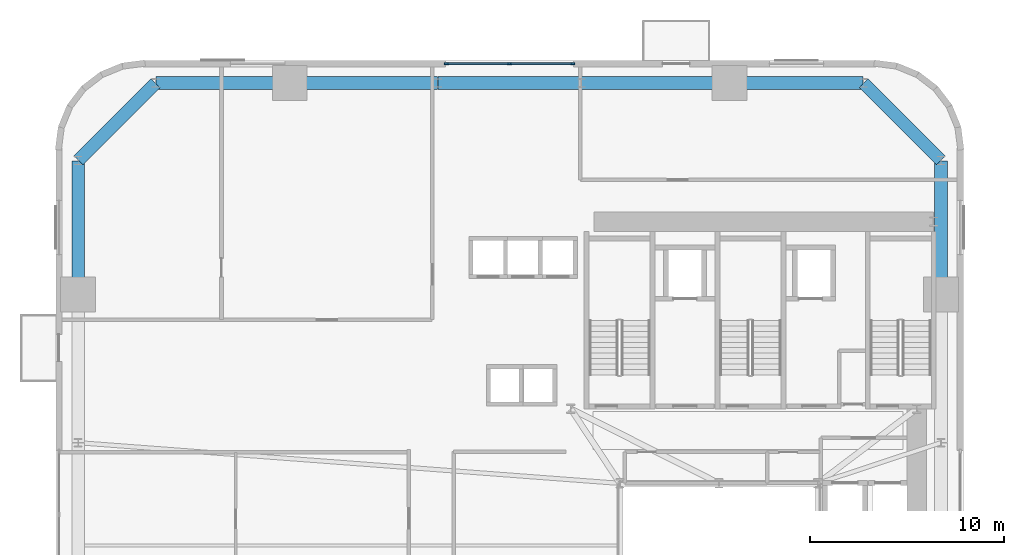
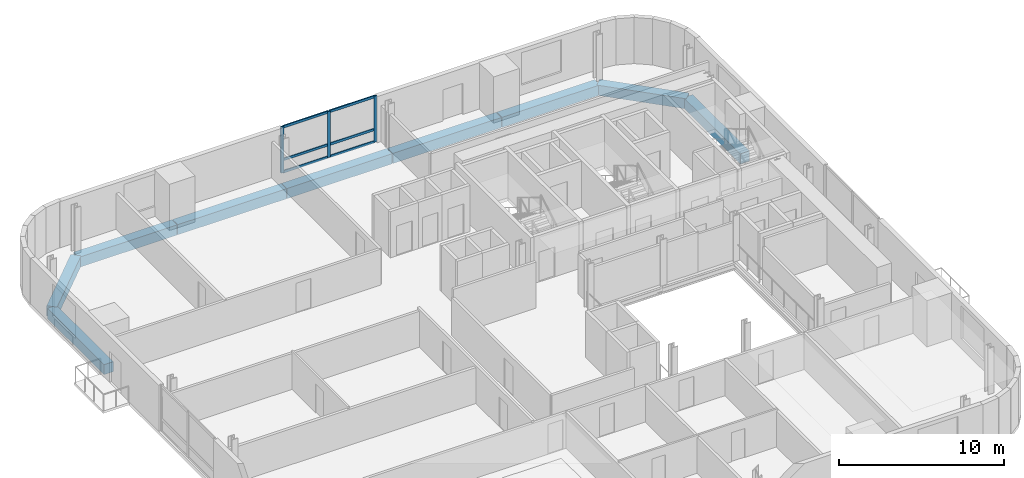
# One storey, part 4 of 13: 9 beams, 9 members, 1 element without a shape of its own.
"""IFC4 building model written with IfcOpenShell, lengths in metres."""

from ifc_helpers import new_model, si_unit, direction, frame, origin, origin_2d, place, context, subcontext, project, spatial, rectangle, extrude, source, transform, mapped, material, material_profile, profile_set, type_object, element, aggregate, save


model = new_model("IFC4")

# Units and contexts
model_context = context("Model", 3, precision=1e-05, world=origin(), true_north=direction((0.0, 1.0)))
body_context = subcontext(model_context, "Body", "Model", "MODEL_VIEW")
ifc_project = project(units=[si_unit("LENGTHUNIT", "METRE"), si_unit("AREAUNIT", "SQUARE_METRE"), si_unit("VOLUMEUNIT", "CUBIC_METRE"), si_unit("PLANEANGLEUNIT", "RADIAN"), si_unit("MASSUNIT", "GRAM", prefix="KILO")], contexts=[model_context])

# Site, building, storey
site_placement = place(None, origin())
site = spatial("IfcSite", under=ifc_project, at=site_placement, CompositionType="ELEMENT")
building_placement = place(site_placement, origin())
building = spatial("IfcBuilding", under=site, at=building_placement, Name="Vardaveli Station Tower", CompositionType="ELEMENT")
storey_placement = place(building_placement, frame((0.0, 0.0, 71.39990234375)))
storey = spatial("IfcBuildingStorey", under=building, at=storey_placement, Name="L18", CompositionType="ELEMENT", Elevation=71.39990234375)

# Beams
ifc_material_1 = material(Name="Precast concrete C45/55", Category="concrete")
ifc_material_profile_1 = material_profile(ifc_material_1, rectangle(XDim=0.64990234375, YDim=0.75, at=origin_2d()), Name="LPB 650x750")
ifc_profile_set_1 = profile_set([ifc_material_profile_1], Name="Precast concrete C45/55")
beam_type = type_object("IfcBeamType", Name="BM-LPB-750", PredefinedType="BEAM", material=ifc_profile_set_1)
shared_shape_1 = source(origin(), body_context, "Body", "SweptSolid", [
    extrude(rectangle(XDim=0.64990234375, YDim=0.75, at=origin_2d()), origin(), (0.0, 0.0, 1.0), 7.60009765625),
])
for number, where, z_axis, x_axis, name in (
    (1, (36.820068359375, 47.449951171875, -0.614990234375), (-1.0, 0.0, 0.0), (0.0, -1.0, 0.0), "RBM-L18-13"),
    (2, (21.780029296875, 47.449951171875, -0.614990234375), (-1.0, 0.0, 0.0), (0.0, -1.0, 0.0), "RBM-L18-15"),
):
    element("IfcBeam", number, at=place(storey_placement, frame(where, z_axis=z_axis, x_axis=x_axis)), inside=storey, type_object=beam_type, Name=name, PredefinedType="BEAM", context=body_context, shape_type="MappedRepresentation", body=[
        mapped(shared_shape_1, transform((0.0, 0.0, 0.0), scale=1.0)),
    ])
shared_shape_2 = source(origin(), body_context, "Body", "SweptSolid", [
    extrude(rectangle(XDim=0.64990234375, YDim=0.75, at=origin_2d()), origin(), (0.0, 0.0, 1.0), 7.35986328125),
])
beam_placement = place(storey_placement, frame((29.179931640625, 47.449951171875, -0.614990234375), z_axis=(-1.0, 0.0, 0.0), x_axis=(0.0, -1.0, 0.0)))
element("IfcBeam", 3, at=beam_placement, inside=storey, type_object=beam_type, Name="RBM-L18-14", PredefinedType="BEAM", context=body_context, shape_type="MappedRepresentation", body=[
    mapped(shared_shape_2, transform((0.0, 0.0, 0.0), scale=1.0)),
])
shared_shape_3 = source(origin(), body_context, "Body", "SweptSolid", [
    extrude(rectangle(XDim=0.64990234375, YDim=0.75, at=origin_2d()), origin(), (0.0, 0.0, 1.0), 6.869873046875),
])
for number, where, z_axis, x_axis, name in (
    (4, (47.75, 36.56005859375, -0.614990234375), (0.0, 1.0, 0.0), (-1.0, 0.0, 0.0), "RBM-L18-10"),
    (5, (43.72998046875, 47.449951171875, -0.614990234375), (-1.0, 0.0, 0.0), (0.0, -1.0, 0.0), "RBM-L18-12"),
    (6, (14.139892578125, 47.449951171875, -0.614990234375), (-1.0, 0.0, 0.0), (0.0, -1.0, 0.0), "RBM-L18-16"),
    (7, (3.25, 43.429931640625, -0.614990234375), (0.0, -1.0, 0.0), (1.0, 0.0, 0.0), "RBM-L18-18"),
):
    element("IfcBeam", number, at=place(storey_placement, frame(where, z_axis=z_axis, x_axis=x_axis)), inside=storey, type_object=beam_type, Name=name, PredefinedType="BEAM", context=body_context, shape_type="MappedRepresentation", body=[
        mapped(shared_shape_3, transform((0.0, 0.0, 0.0), scale=1.0)),
    ])
shared_shape_4 = source(origin(), body_context, "Body", "SweptSolid", [
    extrude(rectangle(XDim=0.64990234375, YDim=0.75, at=origin_2d()), origin(), (0.0, 0.0, 1.0), 5.61669921875),
])
for number, where, z_axis, x_axis, name in (
    (8, (47.73583984375, 43.464111328125, -0.614990234375), (-0.707106781187, 0.707106781187, 0.0), (-0.707106781187, -0.707106781187, 0.0), "RBM-L18-11"),
    (9, (7.23583984375, 47.435791015625, -0.614990234375), (-0.707106781187, -0.707106781187, 0.0), (0.707106781187, -0.707106781187, 0.0), "RBM-L18-17"),
):
    element("IfcBeam", number, at=place(storey_placement, frame(where, z_axis=z_axis, x_axis=x_axis)), inside=storey, type_object=beam_type, Name=name, PredefinedType="BEAM", context=body_context, shape_type="MappedRepresentation", body=[
        mapped(shared_shape_4, transform((0.0, 0.0, 0.0), scale=1.0)),
    ])

# Curtain wall, members
ifc_material_2 = material(Name="Travertine stone and solar-control glass", Category="masonry")
curtain_wall_type = type_object("IfcCurtainWallType", Name="CW-SYS-2", PredefinedType="NOTDEFINED", material=ifc_material_2)
curtain_wall_placement = place(storey_placement, origin())
curtain_wall = element("IfcCurtainWall", 10, at=curtain_wall_placement, inside=storey, type_object=curtain_wall_type, Name="CW-L18-N", PredefinedType="NOTDEFINED")
ifc_material_3 = material(Name="Anodised aluminium alloy 6063-T6", Category="aluminium")
ifc_material_profile_2 = material_profile(ifc_material_3, rectangle(XDim=0.0849609375, YDim=0.179931640625, at=origin_2d()), Name="CWT 85x180")
ifc_profile_set_2 = profile_set([ifc_material_profile_2], Name="Anodised aluminium alloy 6063-T6")
member_type_1 = type_object("IfcMemberType", Name="CW-SYS-2-TRAN", PredefinedType="NOTDEFINED", material=ifc_profile_set_2)
shared_shape_5 = source(origin(), body_context, "Body", "SweptSolid", [
    extrude(rectangle(XDim=0.0849609375, YDim=0.179931640625, at=origin_2d()), origin(), (0.0, 0.0, 1.0), 3.172607421875),
])
member_1_placement = place(storey_placement, frame((28.715087890625, 48.43994140625, 0.04248046875), z_axis=(-1.0, 0.0, 0.0), x_axis=(0.0, -1.0, 0.0)))
member_1 = element("IfcMember", 11, at=member_1_placement, type_object=member_type_1, Name="CW-2 transom 1.1", ObjectType="TRANSOM", PredefinedType="USERDEFINED", context=body_context, shape_type="MappedRepresentation", body=[
    mapped(shared_shape_5, transform((0.0, 0.0, 0.0), scale=1.0)),
])
member_2_placement = place(storey_placement, frame((28.715087890625, 48.43994140625, 0.9501953125), z_axis=(-1.0, 0.0, 0.0), x_axis=(0.0, -1.0, 0.0)))
member_2 = element("IfcMember", 12, at=member_2_placement, type_object=member_type_1, Name="CW-2 transom 1.2", ObjectType="TRANSOM", PredefinedType="USERDEFINED", context=body_context, shape_type="MappedRepresentation", body=[
    mapped(shared_shape_5, transform((0.0, 0.0, 0.0), scale=1.0)),
])
member_3_placement = place(storey_placement, frame((28.715087890625, 48.43994140625, 3.36767578125), z_axis=(-1.0, 0.0, 0.0), x_axis=(0.0, -1.0, 0.0)))
member_3 = element("IfcMember", 13, at=member_3_placement, type_object=member_type_1, Name="CW-2 transom 1.3", ObjectType="TRANSOM", PredefinedType="USERDEFINED", context=body_context, shape_type="MappedRepresentation", body=[
    mapped(shared_shape_5, transform((0.0, 0.0, 0.0), scale=1.0)),
])
member_4_placement = place(storey_placement, frame((25.45751953125, 48.43994140625, 0.04248046875), z_axis=(-1.0, 0.0, 0.0), x_axis=(0.0, -1.0, 0.0)))
member_4 = element("IfcMember", 14, at=member_4_placement, type_object=member_type_1, Name="CW-2 transom 2.1", ObjectType="TRANSOM", PredefinedType="USERDEFINED", context=body_context, shape_type="MappedRepresentation", body=[
    mapped(shared_shape_5, transform((0.0, 0.0, 0.0), scale=1.0)),
])
member_5_placement = place(storey_placement, frame((25.45751953125, 48.43994140625, 0.9501953125), z_axis=(-1.0, 0.0, 0.0), x_axis=(0.0, -1.0, 0.0)))
member_5 = element("IfcMember", 15, at=member_5_placement, type_object=member_type_1, Name="CW-2 transom 2.2", ObjectType="TRANSOM", PredefinedType="USERDEFINED", context=body_context, shape_type="MappedRepresentation", body=[
    mapped(shared_shape_5, transform((0.0, 0.0, 0.0), scale=1.0)),
])
member_6_placement = place(storey_placement, frame((25.45751953125, 48.43994140625, 3.36767578125), z_axis=(-1.0, 0.0, 0.0), x_axis=(0.0, -1.0, 0.0)))
member_6 = element("IfcMember", 16, at=member_6_placement, type_object=member_type_1, Name="CW-2 transom 2.3", ObjectType="TRANSOM", PredefinedType="USERDEFINED", context=body_context, shape_type="MappedRepresentation", body=[
    mapped(shared_shape_5, transform((0.0, 0.0, 0.0), scale=1.0)),
])
ifc_material_profile_3 = material_profile(ifc_material_3, rectangle(XDim=0.0849609375, YDim=0.219970703125, at=origin_2d()), Name="CWM 85x220")
ifc_profile_set_3 = profile_set([ifc_material_profile_3], Name="Anodised aluminium alloy 6063-T6")
member_type_2 = type_object("IfcMemberType", Name="CW-SYS-2-MULL", PredefinedType="MULLION", material=ifc_profile_set_3)
shared_shape_6 = source(origin(), body_context, "Body", "SweptSolid", [
    extrude(rectangle(XDim=0.0849609375, YDim=0.219970703125, at=origin_2d()), origin(), (0.0, 0.0, 1.0), 3.41015625),
])
member_7_placement = place(storey_placement, frame((28.757568359375, 48.43994140625, 0.0), z_axis=(0.0, 0.0, 1.0), x_axis=(0.0, -1.0, 0.0)))
member_7 = element("IfcMember", 17, at=member_7_placement, type_object=member_type_2, Name="CW-2 mullion 1", PredefinedType="MULLION", context=body_context, shape_type="MappedRepresentation", body=[
    mapped(shared_shape_6, transform((0.0, 0.0, 0.0), scale=1.0)),
])
member_8_placement = place(storey_placement, frame((25.5, 48.43994140625, 0.0), z_axis=(0.0, 0.0, 1.0), x_axis=(0.0, -1.0, 0.0)))
member_8 = element("IfcMember", 18, at=member_8_placement, type_object=member_type_2, Name="CW-2 mullion 2", PredefinedType="MULLION", context=body_context, shape_type="MappedRepresentation", body=[
    mapped(shared_shape_6, transform((0.0, 0.0, 0.0), scale=1.0)),
])
member_9_placement = place(storey_placement, frame((22.242431640625, 48.43994140625, 0.0), z_axis=(0.0, 0.0, 1.0), x_axis=(0.0, -1.0, 0.0)))
member_9 = element("IfcMember", 19, at=member_9_placement, type_object=member_type_2, Name="CW-2 mullion 3", PredefinedType="MULLION", context=body_context, shape_type="MappedRepresentation", body=[
    mapped(shared_shape_6, transform((0.0, 0.0, 0.0), scale=1.0)),
])
aggregate(curtain_wall, [member_7, member_8, member_9, member_1, member_2, member_3, member_4, member_5, member_6])

save(model, "model.ifc")
